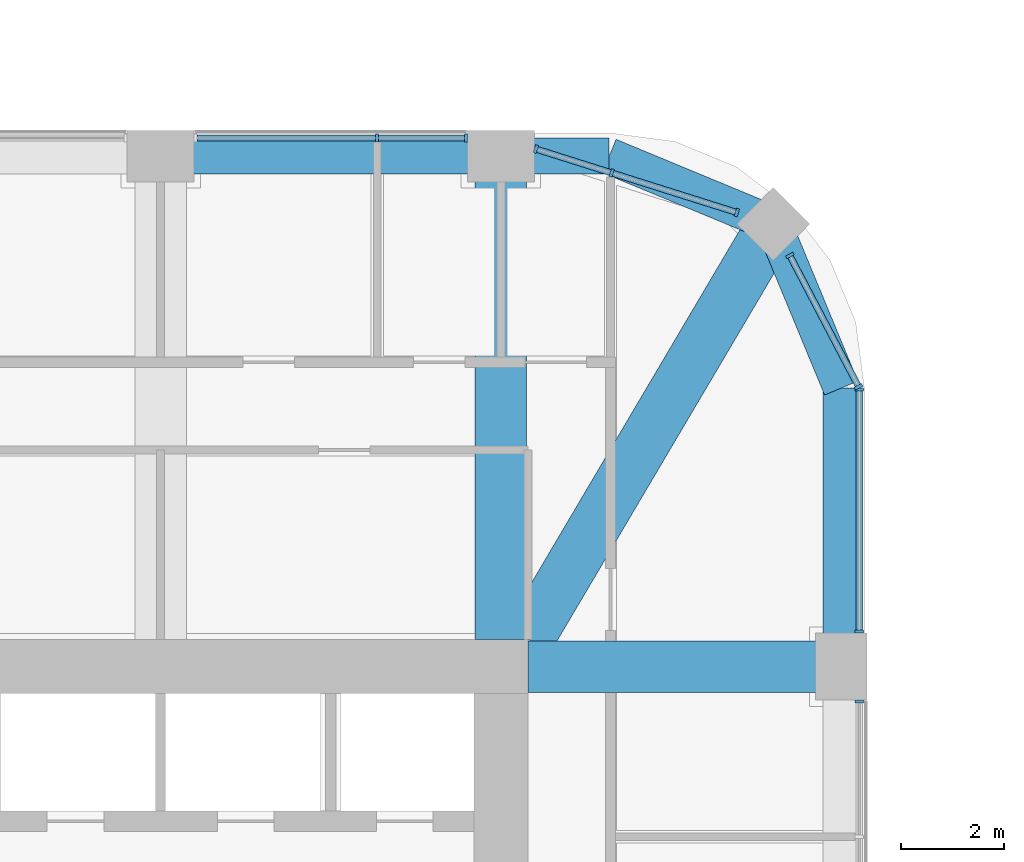
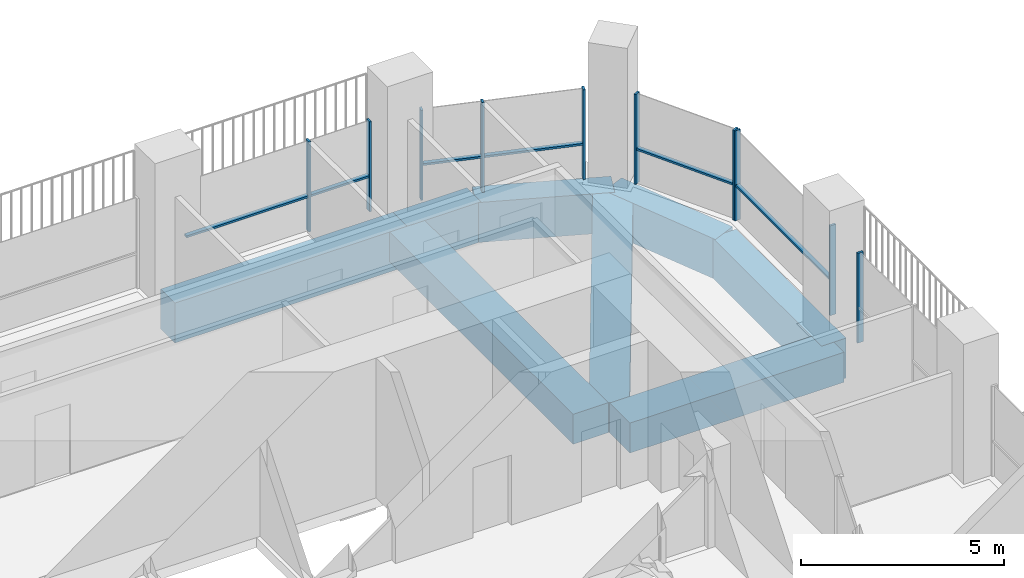
# One storey, part 6 of 20: 16 members, 8 beams, 5 elements without a shape of their own.
"""IFC4 building model written with IfcOpenShell, lengths in metres."""

import ifcopenshell
import ifcopenshell.guid

model = None  # the IFC model being written
_history = None  # IfcOwnerHistory: only IFC2X3 demands one
_inside = {}  # id of a spatial element -> (the spatial element, [elements in it])
_under = {}  # id of a project, library or spatial element -> (it, [spatial elements below it])
_declared = {}  # id of a project -> (the project, [libraries it declares])
_typed = {}  # id of a type object -> (the type object, [elements of that type])
_made_of = {}  # id of a material, layer set ... -> (it, [elements and type objects made of it])


def new_model(schema):
    """Start an empty IFC model of exactly this schema.

    Asked for "IFC4X3", IfcOpenShell would pick the latest addendum, in which some entities
    have other attributes; the version numbers below select the first issue.
    IFC2X3 requires an IfcOwnerHistory on every rooted entity: one is made here for all.
    """
    global model, _history
    if schema == "IFC4X3":
        model = ifcopenshell.file(schema_version=(4, 3, 0, 0))
    else:
        model = ifcopenshell.file(schema=schema)
    _inside.clear()
    _under.clear()
    _declared.clear()
    _typed.clear()
    _made_of.clear()
    _history = None
    if model.schema == "IFC2X3":
        org = make("IfcOrganization", Name="unknown")
        user = make(
            "IfcPersonAndOrganization",
            ThePerson=make("IfcPerson", FamilyName="unknown"),
            TheOrganization=org,
        )
        app = make(
            "IfcApplication",
            ApplicationDeveloper=org,
            Version="unknown",
            ApplicationFullName="unknown",
            ApplicationIdentifier="unknown",
        )
        _history = make(
            "IfcOwnerHistory",
            OwningUser=user,
            OwningApplication=app,
            ChangeAction="ADDED",
            CreationDate=0,
        )
    return model


def make(cls, **values):
    """One entity of the class cls with the attributes given. An attribute that is None is left unset."""
    return model.create_entity(
        cls, **{name: value for name, value in values.items() if value is not None}
    )


def rooted(cls, **values):
    """An entity with a GlobalId (a new one), such as an element, a storey or a relation."""
    return make(cls, GlobalId=ifcopenshell.guid.new(), OwnerHistory=_history, **values)


def si_unit(unit_type, name, prefix=None):
    """IfcSIUnit, for example si_unit("LENGTHUNIT", "METRE", prefix="MILLI")."""
    return make("IfcSIUnit", UnitType=unit_type, Prefix=prefix, Name=name)


def assignment(units):
    """IfcUnitAssignment: the units of a project."""
    return None if units is None else make("IfcUnitAssignment", Units=units)


def point(xyz):
    """IfcCartesianPoint."""
    return None if xyz is None else make("IfcCartesianPoint", Coordinates=xyz)


def direction(xyz):
    """IfcDirection."""
    return None if xyz is None else make("IfcDirection", DirectionRatios=xyz)


def frame(location, z_axis=None, x_axis=None):
    """IfcAxis2Placement3D, a coordinate frame: its origin and axes. An axis left out is left unset."""
    return make(
        "IfcAxis2Placement3D",
        Location=point(location),
        Axis=direction(z_axis),
        RefDirection=direction(x_axis),
    )


def frame_2d(location, x_axis=None):
    """IfcAxis2Placement2D, a coordinate frame in the plane: its origin and x axis."""
    return make(
        "IfcAxis2Placement2D", Location=point(location), RefDirection=direction(x_axis)
    )


def origin():
    """The frame at (0, 0, 0) with its axes left unset."""
    return frame((0.0, 0.0, 0.0))


def origin_2d():
    """The frame at (0, 0) in the plane with its x axis left unset."""
    return frame_2d((0.0, 0.0))


def place(relative_to, where):
    """IfcLocalPlacement: puts the frame where relative to a parent placement (None: the world)."""
    return make(
        "IfcLocalPlacement", PlacementRelTo=relative_to, RelativePlacement=where
    )


def context(
    kind, dimensions, precision=None, world=None, true_north=None, identifier=None
):
    """IfcGeometricRepresentationContext, for example the 3D "Model" context."""
    return make(
        "IfcGeometricRepresentationContext",
        ContextIdentifier=identifier,
        ContextType=kind,
        CoordinateSpaceDimension=dimensions,
        Precision=precision,
        WorldCoordinateSystem=world,
        TrueNorth=true_north,
    )


def subcontext(parent, identifier, kind, view, scale=None):
    """IfcGeometricRepresentationSubContext, for example "Body" below "Model"."""
    return make(
        "IfcGeometricRepresentationSubContext",
        ContextIdentifier=identifier,
        ContextType=kind,
        ParentContext=parent,
        TargetScale=scale,
        TargetView=view,
    )


def project(units=None, contexts=None):
    """IfcProject with its units and contexts."""
    return rooted(
        "IfcProject",
        Name="project",
        RepresentationContexts=contexts,
        UnitsInContext=assignment(units),
    )


def spatial(cls, under=None, at=None, **own):
    """A site, building, storey or space (cls), placed at a placement, below another one or the project."""
    s = rooted(cls, ObjectPlacement=at, **own)
    if under is not None:
        _under.setdefault(under.id(), (under, []))[1].append(s)
    return s


def profile(cls, at=None, kind="AREA", **sizes):
    """A parametric profile (cls). Its sizes go by their IFC names, for example OverallWidth=200.0."""
    return make(cls, ProfileType=kind, Position=at, **sizes)


def rectangle(**sizes):
    """IfcRectangleProfileDef."""
    return profile("IfcRectangleProfileDef", **sizes)


def extrude(swept, where, along, depth):
    """IfcExtrudedAreaSolid: the profile swept, set in the frame where, extruded along a direction by depth."""
    return make(
        "IfcExtrudedAreaSolid",
        SweptArea=swept,
        Position=where,
        ExtrudedDirection=direction(along),
        Depth=depth,
    )


def shape(context_of_items, identifier, shape_type, items):
    """IfcShapeRepresentation: the items that make up one representation, for example the "Body"."""
    return make(
        "IfcShapeRepresentation",
        ContextOfItems=context_of_items,
        RepresentationIdentifier=identifier,
        RepresentationType=shape_type,
        Items=items,
    )


def material(Name=None, Category=None):
    """IfcMaterial."""
    return make("IfcMaterial", Name=Name, Category=Category)


def material_profile(
    of_material, cross_section, Name=None, Category=None, Priority=None
):
    """IfcMaterialProfile: a cross section and its material."""
    return make(
        "IfcMaterialProfile",
        Name=Name,
        Material=of_material,
        Profile=cross_section,
        Priority=Priority,
        Category=Category,
    )


def profile_set(profiles, Name=None, composite=None):
    """IfcMaterialProfileSet."""
    return make(
        "IfcMaterialProfileSet",
        Name=Name,
        MaterialProfiles=profiles,
        CompositeProfile=composite,
    )


def made_of(thing, what):
    """Note that an element or type object is made of a material, layer set ...; save() writes the relation."""
    if what is not None:
        _made_of.setdefault(what.id(), (what, []))[1].append(thing)
    return thing


def type_object(cls, material=None, **own):
    """A type object (cls), such as IfcWallType, which elements share."""
    return made_of(rooted(cls, **own), material)


def element(
    cls,
    number,
    at=None,
    inside=None,
    cuts=None,
    type_object=None,
    material=None,
    context=None,
    identifier="Body",
    shape_type=None,
    held_by="IfcProductDefinitionShape",
    body=None,
    shapes=None,
    **own,
):
    """One element of the class cls, such as IfcWall. Its Tag is "e" and its number.

    at: its placement. inside: the storey or other place that contains it. cuts: it is an
    opening in that element (IfcRelVoidsElement). A single representation is given by context,
    identifier, shape_type and body (its items); several are given by shapes. held_by: the class
    of the entity that holds the representations. save() writes the other relations.
    """
    e = rooted(cls, Tag="e%d" % number, ObjectPlacement=at, **own)
    if body is not None:
        shapes = [shape(context, identifier, shape_type, body)]
    if shapes is not None:
        e.Representation = make(held_by, Representations=shapes)
    if inside is not None:
        _inside.setdefault(inside.id(), (inside, []))[1].append(e)
    if cuts is not None:
        rooted(
            "IfcRelVoidsElement", RelatingBuildingElement=cuts, RelatedOpeningElement=e
        )
    if type_object is not None:
        _typed.setdefault(type_object.id(), (type_object, []))[1].append(e)
    return made_of(e, material)


def aggregate(whole, parts):
    """IfcRelAggregates: a whole, such as a stair, and the parts it consists of."""
    return rooted("IfcRelAggregates", RelatingObject=whole, RelatedObjects=parts)


def save(model, path):
    """Write the relations noted so far, then the file.

    IfcRelAggregates (storeys below a building ...), IfcRelContainedInSpatialStructure (elements
    in a storey), IfcRelDefinesByType, IfcRelAssociatesMaterial and IfcRelDeclares: one each for
    every whole, place, type object, material and project.
    """
    for whole, parts in _under.values():
        aggregate(whole, parts)
    for where, things in _inside.values():
        rooted(
            "IfcRelContainedInSpatialStructure",
            RelatedElements=things,
            RelatingStructure=where,
        )
    for kind, things in _typed.values():
        rooted("IfcRelDefinesByType", RelatedObjects=things, RelatingType=kind)
    for what, things in _made_of.values():
        rooted("IfcRelAssociatesMaterial", RelatedObjects=things, RelatingMaterial=what)
    for by, libraries in _declared.values():
        rooted("IfcRelDeclares", RelatingContext=by, RelatedDefinitions=libraries)
    model.write(path)


model = new_model("IFC4")

# Units and contexts
model_context = context("Model", 3, precision=1e-05, world=origin(), true_north=direction((0.0, 1.0)))
body_context = subcontext(model_context, "Body", "Model", "MODEL_VIEW")
ifc_project = project(units=[si_unit("LENGTHUNIT", "METRE"), si_unit("AREAUNIT", "SQUARE_METRE"), si_unit("VOLUMEUNIT", "CUBIC_METRE"), si_unit("PLANEANGLEUNIT", "RADIAN"), si_unit("MASSUNIT", "GRAM", prefix="KILO")], contexts=[model_context])

# Site, building, storey
site_placement = place(None, origin())
site = spatial("IfcSite", under=ifc_project, at=site_placement, CompositionType="ELEMENT")
building_placement = place(site_placement, origin())
building = spatial("IfcBuilding", under=site, at=building_placement, Name="Cobogo Forest Laboratory Tower", CompositionType="ELEMENT")
storey_placement = place(building_placement, frame((0.0, 0.0, 254.39990234375)))
storey = spatial("IfcBuildingStorey", under=building, at=storey_placement, Name="L58", CompositionType="ELEMENT", Elevation=254.39990234375)

# Curtain wall, member
ifc_material_1 = material(Name="Aluminium curtain wall", Category="aluminium")
curtain_wall_type = type_object("IfcCurtainWallType", Name="CW-2 unitised curtain wall, solar control glazing, laboratory floors zones C and D", PredefinedType="USERDEFINED", material=ifc_material_1)
curtain_wall_1_placement = place(storey_placement, origin())
curtain_wall_1 = element("IfcCurtainWall", 1, at=curtain_wall_1_placement, inside=storey, type_object=curtain_wall_type, Name="Curtain wall 10 L58", ObjectType="UNITISED CURTAIN WALL", PredefinedType="USERDEFINED")
ifc_material_2 = material(Name="Aluminium mullion", Category="aluminium")
ifc_material_profile_1 = material_profile(ifc_material_2, rectangle(XDim=0.06005859375, YDim=0.159912109375, at=origin_2d()), Name="AL 60x160")
ifc_profile_set_1 = profile_set([ifc_material_profile_1], Name="Aluminium mullion")
member_type_1 = type_object("IfcMemberType", Name="MU-1 aluminium mullion 60x160", PredefinedType="MULLION", material=ifc_profile_set_1)
member_1_placement = place(storey_placement, frame((46.550048828125, 32.320068359375, 0.0), z_axis=(0.0, 0.0, 1.0), x_axis=(0.0, 1.0, 0.0)))
member_1 = element("IfcMember", 2, at=member_1_placement, type_object=member_type_1, Name="CW-2 mullion 3", PredefinedType="MULLION", context=body_context, shape_type="SweptSolid", body=[
    extrude(rectangle(XDim=0.06005859375, YDim=0.159912109375, at=origin_2d()), origin(), (0.0, 0.0, 1.0), 2.7001953125),
])
aggregate(curtain_wall_1, [member_1])

# Curtain wall, members
curtain_wall_2_placement = place(storey_placement, origin())
curtain_wall_2 = element("IfcCurtainWall", 3, at=curtain_wall_2_placement, inside=storey, type_object=curtain_wall_type, Name="Curtain wall 11 L58", ObjectType="UNITISED CURTAIN WALL", PredefinedType="USERDEFINED")
member_2_placement = place(storey_placement, frame((46.550048828125, 33.679931640625, 0.0), z_axis=(0.0, 0.0, 1.0), x_axis=(0.0, 1.0, 0.0)))
member_2 = element("IfcMember", 4, at=member_2_placement, type_object=member_type_1, Name="CW-2 mullion 1", PredefinedType="MULLION", context=body_context, shape_type="SweptSolid", body=[
    extrude(rectangle(XDim=0.06005859375, YDim=0.159912109375, at=origin_2d()), origin(), (0.0, 0.0, 1.0), 2.7001953125),
])
member_3_placement = place(storey_placement, frame((46.550048828125, 38.3701171875, 0.0), z_axis=(0.0, 0.0, 1.0), x_axis=(0.0, 1.0, 0.0)))
member_3 = element("IfcMember", 5, at=member_3_placement, type_object=member_type_1, Name="CW-2 mullion 2", PredefinedType="MULLION", context=body_context, shape_type="SweptSolid", body=[
    extrude(rectangle(XDim=0.06005859375, YDim=0.159912109375, at=origin_2d()), origin(), (0.0, 0.0, 1.0), 2.7001953125),
])

curtain_wall_3_placement = place(storey_placement, origin())
curtain_wall_3 = element("IfcCurtainWall", 6, at=curtain_wall_3_placement, inside=storey, type_object=curtain_wall_type, Name="Curtain wall 12 L58", ObjectType="UNITISED CURTAIN WALL", PredefinedType="USERDEFINED")
member_4_placement = place(storey_placement, frame((46.5361328125, 38.426513671875, 0.0), z_axis=(0.0, 0.0, 1.0), x_axis=(-0.464283791352, 0.885686491422, 0.0)))
member_4 = element("IfcMember", 7, at=member_4_placement, type_object=member_type_1, Name="CW-2 mullion 1", PredefinedType="MULLION", context=body_context, shape_type="SweptSolid", body=[
    extrude(rectangle(XDim=0.06005859375, YDim=0.159912109375, at=origin_2d()), origin(), (0.0, 0.0, 1.0), 2.7001953125),
])
member_5_placement = place(storey_placement, frame((45.202392578125, 40.970947265625, 0.0), z_axis=(0.0, 0.0, 1.0), x_axis=(-0.464283791352, 0.885686491422, 0.0)))
member_5 = element("IfcMember", 8, at=member_5_placement, type_object=member_type_1, Name="CW-2 mullion 2", PredefinedType="MULLION", context=body_context, shape_type="SweptSolid", body=[
    extrude(rectangle(XDim=0.06005859375, YDim=0.159912109375, at=origin_2d()), origin(), (0.0, 0.0, 1.0), 2.7001953125),
])

curtain_wall_4_placement = place(storey_placement, origin())
curtain_wall_4 = element("IfcCurtainWall", 9, at=curtain_wall_4_placement, inside=storey, type_object=curtain_wall_type, Name="Curtain wall 13 L58", ObjectType="UNITISED CURTAIN WALL", PredefinedType="USERDEFINED")
member_6_placement = place(storey_placement, frame((44.17626953125, 41.804931640625, 0.0), z_axis=(0.0, 0.0, 1.0), x_axis=(-0.953581386052, 0.301135418334, 0.0)))
member_6 = element("IfcMember", 10, at=member_6_placement, type_object=member_type_1, Name="CW-2 mullion 1", PredefinedType="MULLION", context=body_context, shape_type="SweptSolid", body=[
    extrude(rectangle(XDim=0.06005859375, YDim=0.159912109375, at=origin_2d()), origin(), (0.0, 0.0, 1.0), 2.7001953125),
])
member_7_placement = place(storey_placement, frame((41.7490234375, 42.5712890625, 0.0), z_axis=(0.0, 0.0, 1.0), x_axis=(-0.953581386052, 0.301135418334, 0.0)))
member_7 = element("IfcMember", 11, at=member_7_placement, type_object=member_type_1, Name="CW-2 mullion 2", PredefinedType="MULLION", context=body_context, shape_type="SweptSolid", body=[
    extrude(rectangle(XDim=0.06005859375, YDim=0.159912109375, at=origin_2d()), origin(), (0.0, 0.0, 1.0), 2.7001953125),
])
member_8_placement = place(storey_placement, frame((40.278564453125, 43.03564453125, 0.0), z_axis=(0.0, 0.0, 1.0), x_axis=(-0.953581386052, 0.301135418334, 0.0)))
member_8 = element("IfcMember", 12, at=member_8_placement, type_object=member_type_1, Name="CW-2 mullion 3", PredefinedType="MULLION", context=body_context, shape_type="SweptSolid", body=[
    extrude(rectangle(XDim=0.06005859375, YDim=0.159912109375, at=origin_2d()), origin(), (0.0, 0.0, 1.0), 2.7001953125),
])

curtain_wall_5_placement = place(storey_placement, origin())
curtain_wall_5 = element("IfcCurtainWall", 13, at=curtain_wall_5_placement, inside=storey, type_object=curtain_wall_type, Name="Curtain wall 14 L58", ObjectType="UNITISED CURTAIN WALL", PredefinedType="USERDEFINED")
member_9_placement = place(storey_placement, frame((38.919921875, 43.25, 0.0), z_axis=(0.0, 0.0, 1.0), x_axis=(-1.0, 0.0, 0.0)))
member_9 = element("IfcMember", 14, at=member_9_placement, type_object=member_type_1, Name="CW-2 mullion 1", PredefinedType="MULLION", context=body_context, shape_type="SweptSolid", body=[
    extrude(rectangle(XDim=0.06005859375, YDim=0.159912109375, at=origin_2d()), origin(), (0.0, 0.0, 1.0), 2.7001953125),
])
member_10_placement = place(storey_placement, frame((37.199951171875, 43.25, 0.0), z_axis=(0.0, 0.0, 1.0), x_axis=(-1.0, 0.0, 0.0)))
member_10 = element("IfcMember", 15, at=member_10_placement, type_object=member_type_1, Name="CW-2 mullion 2", PredefinedType="MULLION", context=body_context, shape_type="SweptSolid", body=[
    extrude(rectangle(XDim=0.06005859375, YDim=0.159912109375, at=origin_2d()), origin(), (0.0, 0.0, 1.0), 2.7001953125),
])

# Beams
ifc_material_3 = material(Name="Concrete HA-40 (C40/50)", Category="concrete")
ifc_material_profile_2 = material_profile(ifc_material_3, rectangle(XDim=1.0, YDim=0.89990234375, at=origin_2d()), Name="RC 1000x900")
ifc_profile_set_2 = profile_set([ifc_material_profile_2], Name="Concrete HA-40 (C40/50)")
beam_type_1 = type_object("IfcBeamType", Name="Office floor wide beam 1000x900", PredefinedType="BEAM", material=ifc_profile_set_2)
beam_1_placement = place(storey_placement, frame((39.60009765625, 33.52490234375, -0.75), z_axis=(0.0, 1.0, 0.0), x_axis=(-1.0, 0.0, 0.0)))
element("IfcBeam", 16, at=beam_1_placement, inside=storey, type_object=beam_type_1, Name="RB2 R-7-N L58", PredefinedType="BEAM", context=body_context, shape_type="SweptSolid", body=[
    extrude(rectangle(XDim=1.0, YDim=0.89990234375, at=origin_2d()), origin(), (0.0, 0.0, 1.0), 9.375),
])
beam_2_placement = place(storey_placement, frame((40.125, 33.0, -0.75), z_axis=(1.0, 0.0, 0.0), x_axis=(0.0, 1.0, 0.0)))
element("IfcBeam", 17, at=beam_2_placement, inside=storey, type_object=beam_type_1, Name="RB2 R-F-E L58", PredefinedType="BEAM", context=body_context, shape_type="SweptSolid", body=[
    extrude(rectangle(XDim=1.0, YDim=0.89990234375, at=origin_2d()), origin(), (0.0, 0.0, 1.0), 6.074951171875),
])
beam_3_placement = place(storey_placement, frame((44.882080078125, 41.58203125, -0.75), z_axis=(-0.508416325908, -0.861111397875, 0.0), x_axis=(0.861111397875, -0.508416325908, 0.0)))
element("IfcBeam", 18, at=beam_3_placement, inside=storey, type_object=beam_type_1, Name="RB2 G-NE-D1 L58", PredefinedType="BEAM", context=body_context, shape_type="SweptSolid", body=[
    extrude(rectangle(XDim=1.0, YDim=0.89990234375, at=origin_2d()), origin(), (0.0, 0.0, 1.0), 9.356689453125),
])
ifc_material_profile_3 = material_profile(ifc_material_3, rectangle(XDim=0.699951171875, YDim=1.199951171875, at=origin_2d()), Name="RC 700x1200")
ifc_profile_set_3 = profile_set([ifc_material_profile_3], Name="Concrete HA-40 (C40/50)")
beam_type_2 = type_object("IfcBeamType", Name="Perimeter edge beam 700x1200", PredefinedType="BEAM", material=ifc_profile_set_3)
beam_4_placement = place(storey_placement, frame((33.0, 42.89990234375, -0.89990234375), z_axis=(1.0, 0.0, 0.0), x_axis=(0.0, 1.0, 0.0)))
element("IfcBeam", 19, at=beam_4_placement, inside=storey, type_object=beam_type_2, Name="EB1 E-N4 L58", PredefinedType="BEAM", context=body_context, shape_type="SweptSolid", body=[
    extrude(rectangle(XDim=0.699951171875, YDim=1.199951171875, at=origin_2d()), origin(), (0.0, 0.0, 1.0), 6.60009765625),
])
beam_5_placement = place(storey_placement, frame((46.199951171875, 33.0, -0.89990234375), z_axis=(0.0, 1.0, 0.0), x_axis=(-1.0, 0.0, 0.0)))
element("IfcBeam", 20, at=beam_5_placement, inside=storey, type_object=beam_type_2, Name="EB1 E-NEE1 L58", PredefinedType="BEAM", context=body_context, shape_type="SweptSolid", body=[
    extrude(rectangle(XDim=0.699951171875, YDim=1.199951171875, at=origin_2d()), origin(), (0.0, 0.0, 1.0), 5.39990234375),
])
beam_6_placement = place(storey_placement, frame((46.199951171875, 38.39990234375, -0.89990234375), z_axis=(-0.382631424892, 0.923901072997, 0.0), x_axis=(-0.923901072997, -0.382631424892, 0.0)))
element("IfcBeam", 21, at=beam_6_placement, inside=storey, type_object=beam_type_2, Name="EB1 E-NEE2 L58", PredefinedType="BEAM", context=body_context, shape_type="SweptSolid", body=[
    extrude(rectangle(XDim=0.699951171875, YDim=1.199951171875, at=origin_2d()), origin(), (0.0, 0.0, 1.0), 3.4443359375),
])
beam_7_placement = place(storey_placement, frame((39.60009765625, 42.89990234375, -0.89990234375), z_axis=(1.0, 0.0, 0.0), x_axis=(0.0, 1.0, 0.0)))
element("IfcBeam", 22, at=beam_7_placement, inside=storey, type_object=beam_type_2, Name="EB1 E-NEN1 L58", PredefinedType="BEAM", context=body_context, shape_type="SweptSolid", body=[
    extrude(rectangle(XDim=0.699951171875, YDim=1.199951171875, at=origin_2d()), origin(), (0.0, 0.0, 1.0), 2.099853515625),
])
beam_8_placement = place(storey_placement, frame((41.699951171875, 42.89990234375, -0.89990234375), z_axis=(0.923901072997, -0.382631424892, 0.0), x_axis=(0.382631424892, 0.923901072997, 0.0)))
element("IfcBeam", 23, at=beam_8_placement, inside=storey, type_object=beam_type_2, Name="EB1 E-NEN2 L58", PredefinedType="BEAM", context=body_context, shape_type="SweptSolid", body=[
    extrude(rectangle(XDim=0.699951171875, YDim=1.199951171875, at=origin_2d()), origin(), (0.0, 0.0, 1.0), 3.4443359375),
])

# Member
ifc_material_4 = material(Name="Aluminium transom", Category="aluminium")
ifc_material_profile_4 = material_profile(ifc_material_4, rectangle(XDim=0.1201171875, YDim=0.06005859375, at=origin_2d()), Name="AL 60x120")
ifc_profile_set_4 = profile_set([ifc_material_profile_4], Name="Aluminium transom")
member_type_2 = type_object("IfcMemberType", Name="TR-1 aluminium transom 60x120", PredefinedType="USERDEFINED", material=ifc_profile_set_4)
member_11_placement = place(storey_placement, frame((46.550048828125, 33.7099609375, 1.050048828125), z_axis=(0.0, 1.0, 0.0), x_axis=(-1.0, 0.0, 0.0)))
member_11 = element("IfcMember", 24, at=member_11_placement, type_object=member_type_2, Name="CW-2 transom 1.1", ObjectType="TRANSOM", PredefinedType="USERDEFINED", context=body_context, shape_type="SweptSolid", body=[
    extrude(rectangle(XDim=0.1201171875, YDim=0.06005859375, at=origin_2d()), origin(), (0.0, 0.0, 1.0), 4.630126953125),
])

aggregate(curtain_wall_2, [member_2, member_3, member_11])

member_12_placement = place(storey_placement, frame((46.522216796875, 38.453125, 1.050048828125), z_axis=(-0.464282656331, 0.885687086408, 0.0), x_axis=(-0.885687086408, -0.464282656331, 0.0)))
member_12 = element("IfcMember", 25, at=member_12_placement, type_object=member_type_2, Name="CW-2 transom 1.1", ObjectType="TRANSOM", PredefinedType="USERDEFINED", context=body_context, shape_type="SweptSolid", body=[
    extrude(rectangle(XDim=0.1201171875, YDim=0.06005859375, at=origin_2d()), origin(), (0.0, 0.0, 1.0), 2.812744140625),
])

aggregate(curtain_wall_3, [member_4, member_5, member_12])

member_13_placement = place(storey_placement, frame((44.147705078125, 41.81396484375, 1.050048828125), z_axis=(-0.953601962472, 0.301070252882, 0.0), x_axis=(-0.301070252882, -0.953601962472, 0.0)))
member_13 = element("IfcMember", 26, at=member_13_placement, type_object=member_type_2, Name="CW-2 transom 1.1", ObjectType="TRANSOM", PredefinedType="USERDEFINED", context=body_context, shape_type="SweptSolid", body=[
    extrude(rectangle(XDim=0.1201171875, YDim=0.06005859375, at=origin_2d()), origin(), (0.0, 0.0, 1.0), 2.4853515625),
])

member_14_placement = place(storey_placement, frame((41.720458984375, 42.580322265625, 1.050048828125), z_axis=(-0.953587644069, 0.301115600856, 0.0), x_axis=(-0.301115600856, -0.953587644069, 0.0)))
member_14 = element("IfcMember", 27, at=member_14_placement, type_object=member_type_2, Name="CW-2 transom 2.1", ObjectType="TRANSOM", PredefinedType="USERDEFINED", context=body_context, shape_type="SweptSolid", body=[
    extrude(rectangle(XDim=0.1201171875, YDim=0.06005859375, at=origin_2d()), origin(), (0.0, 0.0, 1.0), 1.482177734375),
])

aggregate(curtain_wall_4, [member_6, member_7, member_8, member_13, member_14])

member_15_placement = place(storey_placement, frame((38.889892578125, 43.25, 1.050048828125), z_axis=(-1.0, 0.0, 0.0), x_axis=(0.0, -1.0, 0.0)))
member_15 = element("IfcMember", 28, at=member_15_placement, type_object=member_type_2, Name="CW-2 transom 1.1", ObjectType="TRANSOM", PredefinedType="USERDEFINED", context=body_context, shape_type="SweptSolid", body=[
    extrude(rectangle(XDim=0.1201171875, YDim=0.06005859375, at=origin_2d()), origin(), (0.0, 0.0, 1.0), 1.659912109375),
])

member_16_placement = place(storey_placement, frame((37.169921875, 43.25, 1.050048828125), z_axis=(-1.0, 0.0, 0.0), x_axis=(0.0, -1.0, 0.0)))
member_16 = element("IfcMember", 29, at=member_16_placement, type_object=member_type_2, Name="CW-2 transom 2.1", ObjectType="TRANSOM", PredefinedType="USERDEFINED", context=body_context, shape_type="SweptSolid", body=[
    extrude(rectangle(XDim=0.1201171875, YDim=0.06005859375, at=origin_2d()), origin(), (0.0, 0.0, 1.0), 3.4599609375),
])

aggregate(curtain_wall_5, [member_9, member_10, member_15, member_16])

save(model, "model.ifc")
